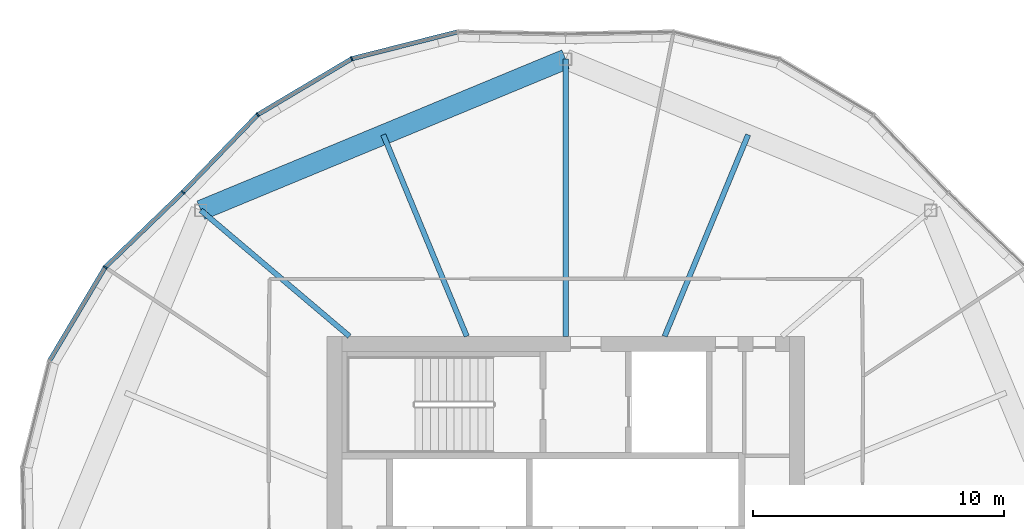
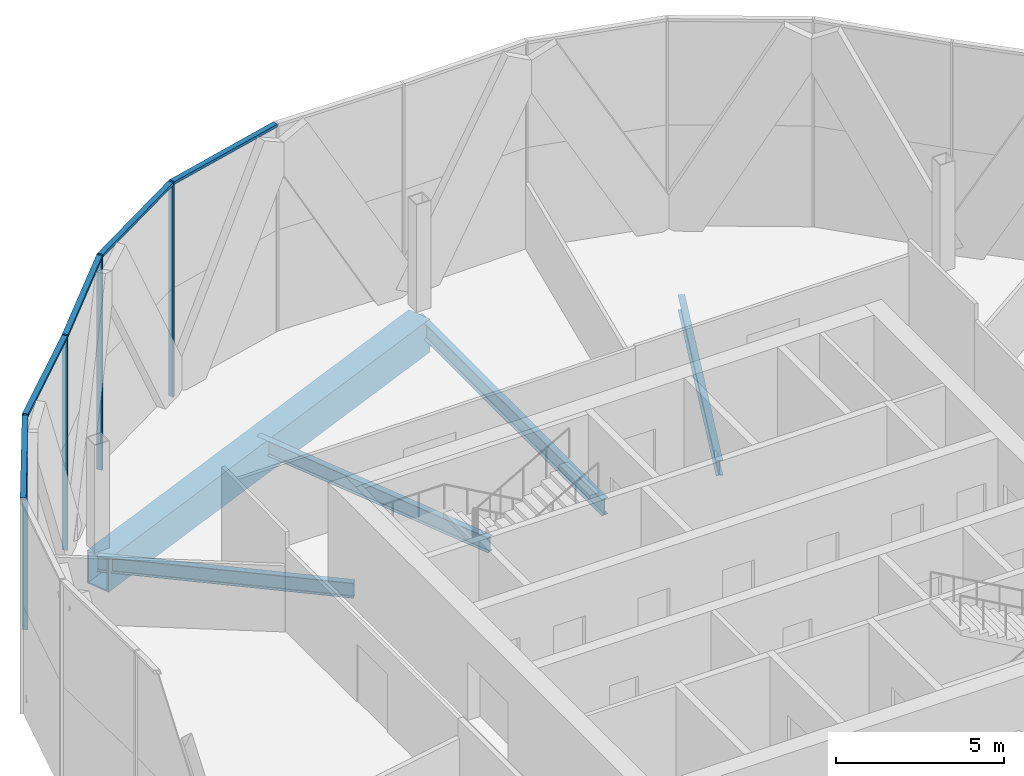
# One storey, part 8 of 27: 9 members, 5 beams, 2 elements without a shape of their own.
"""IFC4 building model written with IfcOpenShell, lengths in metres."""

from ifc_helpers import new_model, si_unit, direction, frame, origin, origin_2d, place, context, subcontext, project, spatial, rectangle, hollow_rectangle, i_section, extrude, material, material_profile, profile_set, type_object, element, aggregate, save


model = new_model("IFC4")

# Units and contexts
model_context = context("Model", 3, precision=1e-05, world=origin(), true_north=direction((0.0, 1.0)))
body_context = subcontext(model_context, "Body", "Model", "MODEL_VIEW")
ifc_project = project(units=[si_unit("LENGTHUNIT", "METRE"), si_unit("AREAUNIT", "SQUARE_METRE"), si_unit("VOLUMEUNIT", "CUBIC_METRE"), si_unit("PLANEANGLEUNIT", "RADIAN"), si_unit("MASSUNIT", "GRAM", prefix="KILO")], contexts=[model_context])

# Site, building, storey
site_placement = place(None, origin())
site = spatial("IfcSite", under=ifc_project, at=site_placement, CompositionType="ELEMENT")
building_placement = place(site_placement, origin())
building = spatial("IfcBuilding", under=site, at=building_placement, Name="Ogive Gate Towers", CompositionType="ELEMENT")
storey_placement = place(building_placement, frame((0.0, 0.0, 189.0)))
storey = spatial("IfcBuildingStorey", under=building, at=storey_placement, Name="L45", CompositionType="ELEMENT", Elevation=189.0)

# Beams
ifc_material_1 = material(Name="Steel SM460", Category="steel")
ifc_material_profile_1 = material_profile(ifc_material_1, hollow_rectangle(XDim=0.800048828125, YDim=1.199951171875, WallThickness=0.050048828125, at=origin_2d()), Name="BX 1200x800x50")
ifc_profile_set_1 = profile_set([ifc_material_profile_1], Name="Steel SM460")
beam_type_1 = type_object("IfcBeamType", Name="Edge girder BX 1200x800x50", PredefinedType="BEAM", material=ifc_profile_set_1)
beam_1_placement = place(storey_placement, frame((-36.0, 20.52001953125, -0.89990234375), z_axis=(-0.923877006731, -0.38268953008, 0.0), x_axis=(0.38268953008, -0.923877006731, 0.0)))
element("IfcBeam", 1, at=beam_1_placement, inside=storey, type_object=beam_type_1, Name="T1/L45/SBM022", PredefinedType="BEAM", context=body_context, shape_type="SweptSolid", body=[
    extrude(hollow_rectangle(XDim=0.800048828125, YDim=1.199951171875, WallThickness=0.050048828125, at=origin_2d()), origin(), (0.0, 0.0, 1.0), 15.705322265625),
])
ifc_material_2 = material(Name="Steel SM355", Category="steel")
ifc_material_profile_2 = material_profile(ifc_material_2, i_section(OverallWidth=0.2099609375, OverallDepth=0.550048828125, WebThickness=0.010986328125, FlangeThickness=0.01708984375, FilletRadius=0.02392578125, at=origin_2d()), Name="IPE 550")
ifc_profile_set_2 = profile_set([ifc_material_profile_2], Name="Steel SM355")
beam_type_2 = type_object("IfcBeamType", Name="Radial floor beam IPE 550", PredefinedType="BEAM", material=ifc_profile_set_2)
for number, where, z_axis, x_axis, name in (
    (2, (-32.06494140625, 9.5, -0.574951171875), (0.382678218882, 0.92388169199, 0.0), (-0.92388169199, 0.382678218882, 0.0), "T1/L45/SBM010"),
    (3, (-39.93505859375, 9.5, -0.574951171875), (-0.382678218882, 0.92388169199, 0.0), (-0.92388169199, -0.382678218882, 0.0), "T1/L45/SBM012"),
):
    element("IfcBeam", number, at=place(storey_placement, frame(where, z_axis=z_axis, x_axis=x_axis)), inside=storey, type_object=beam_type_2, Name=name, PredefinedType="BEAM", context=body_context, shape_type="SweptSolid", body=[
        extrude(i_section(OverallWidth=0.2099609375, OverallDepth=0.550048828125, WebThickness=0.010986328125, FlangeThickness=0.01708984375, FilletRadius=0.02392578125, at=origin_2d()), origin(), (0.0, 0.0, 1.0), 8.67529296875),
    ])
beam_2_placement = place(storey_placement, frame((-44.60009765625, 9.5, -0.574951171875), z_axis=(-0.762795484328, 0.64663981403, 0.0), x_axis=(-0.64663981403, -0.762795484328, 0.0)))
element("IfcBeam", 4, at=beam_2_placement, inside=storey, type_object=beam_type_2, Name="T1/L45/SBM013", PredefinedType="BEAM", context=body_context, shape_type="SweptSolid", body=[
    extrude(i_section(OverallWidth=0.2099609375, OverallDepth=0.550048828125, WebThickness=0.010986328125, FlangeThickness=0.01708984375, FilletRadius=0.02392578125, at=origin_2d()), origin(), (0.0, 0.0, 1.0), 7.747314453125),
])
ifc_material_profile_3 = material_profile(ifc_material_2, i_section(OverallWidth=0.219970703125, OverallDepth=0.60009765625, WebThickness=0.011962890625, FlangeThickness=0.01904296875, FilletRadius=0.02392578125, at=origin_2d()), Name="IPE 600")
ifc_profile_set_3 = profile_set([ifc_material_profile_3], Name="Steel SM355")
beam_type_3 = type_object("IfcBeamType", Name="Radial floor beam IPE 600", PredefinedType="BEAM", material=ifc_profile_set_3)
beam_3_placement = place(storey_placement, frame((-36.0, 9.5, -0.60009765625), z_axis=(0.0, 1.0, 0.0), x_axis=(-1.0, 0.0, 0.0)))
element("IfcBeam", 5, at=beam_3_placement, inside=storey, type_object=beam_type_3, Name="T1/L45/SBM011", PredefinedType="BEAM", context=body_context, shape_type="SweptSolid", body=[
    extrude(i_section(OverallWidth=0.219970703125, OverallDepth=0.60009765625, WebThickness=0.011962890625, FlangeThickness=0.01904296875, FilletRadius=0.02392578125, at=origin_2d()), origin(), (0.0, 0.0, 1.0), 11.02001953125),
])

# Curtain wall, members
ifc_material_3 = material(Name="Pale metal aluminium", Category="aluminium")
curtain_wall_type = type_object("IfcCurtainWallType", Name="Tower unitised wall, high zone", PredefinedType="NOTDEFINED", material=ifc_material_3)
curtain_wall_1_placement = place(storey_placement, origin())
curtain_wall_1 = element("IfcCurtainWall", 6, at=curtain_wall_1_placement, inside=storey, type_object=curtain_wall_type, Name="CW2 T1 ECW06", PredefinedType="NOTDEFINED")
ifc_material_profile_4 = material_profile(ifc_material_3, rectangle(XDim=0.179931640625, YDim=0.06005859375, at=origin_2d()), Name="60 x 180 aluminium box")
ifc_profile_set_4 = profile_set([ifc_material_profile_4], Name="Pale metal aluminium")
member_type_1 = type_object("IfcMemberType", Name="Tower unitised wall, high zone mullion 60 x 180", PredefinedType="MULLION", material=ifc_profile_set_4)
member_1_placement = place(storey_placement, frame((-51.22412109375, 15.223876953125, -0.300048828125), z_axis=(0.0, 0.0, 1.0), x_axis=(0.720030516576, -0.693942400491, 0.0)))
member_1 = element("IfcMember", 7, at=member_1_placement, type_object=member_type_1, Name="CW2 mullion", PredefinedType="MULLION", context=body_context, shape_type="SweptSolid", body=[
    extrude(rectangle(XDim=0.179931640625, YDim=0.06005859375, at=origin_2d()), origin(), (0.0, 0.0, 1.0), 7.800048828125),
])
member_2_placement = place(storey_placement, frame((-48.2470703125, 18.312744140625, -0.300048828125), z_axis=(0.0, 0.0, 1.0), x_axis=(0.621298227173, -0.783574191071, 0.0)))
member_2 = element("IfcMember", 8, at=member_2_placement, type_object=member_type_1, Name="CW2 mullion", PredefinedType="MULLION", context=body_context, shape_type="SweptSolid", body=[
    extrude(rectangle(XDim=0.179931640625, YDim=0.06005859375, at=origin_2d()), origin(), (0.0, 0.0, 1.0), 7.800048828125),
])
member_3_placement = place(storey_placement, frame((-44.50732421875, 20.538818359375, -0.300048828125), z_axis=(0.0, 0.0, 1.0), x_axis=(0.382683432365, -0.923879532511, 0.0)))
member_3 = element("IfcMember", 9, at=member_3_placement, type_object=member_type_1, Name="CW2 mullion", PredefinedType="MULLION", context=body_context, shape_type="SweptSolid", body=[
    extrude(rectangle(XDim=0.179931640625, YDim=0.06005859375, at=origin_2d()), origin(), (0.0, 0.0, 1.0), 7.800048828125),
])

# Curtain wall, member
curtain_wall_2_placement = place(storey_placement, origin())
curtain_wall_2 = element("IfcCurtainWall", 10, at=curtain_wall_2_placement, inside=storey, type_object=curtain_wall_type, Name="CW2 T1 ECW07", PredefinedType="NOTDEFINED")
member_4_placement = place(storey_placement, frame((-54.312744140625, 12.2470703125, -0.300048828125), z_axis=(0.0, 0.0, 1.0), x_axis=(0.783574191071, -0.621298227173, 0.0)))
member_4 = element("IfcMember", 11, at=member_4_placement, type_object=member_type_1, Name="CW2 mullion", PredefinedType="MULLION", context=body_context, shape_type="SweptSolid", body=[
    extrude(rectangle(XDim=0.179931640625, YDim=0.06005859375, at=origin_2d()), origin(), (0.0, 0.0, 1.0), 7.800048828125),
])

# Member
ifc_material_profile_5 = material_profile(ifc_material_3, rectangle(XDim=0.179931640625, YDim=0.10009765625, at=origin_2d()), Name="100 x 180 aluminium box")
ifc_profile_set_5 = profile_set([ifc_material_profile_5], Name="Pale metal aluminium")
member_type_2 = type_object("IfcMemberType", Name="Tower unitised wall, high zone transom 100 x 180", PredefinedType="USERDEFINED", material=ifc_profile_set_5)
member_5_placement = place(storey_placement, frame((-51.203369140625, 15.245361328125, 7.449951171875), z_axis=(0.693938958182, 0.720033834147, 0.0), x_axis=(-0.720033834147, 0.693938958182, 0.0)))
member_5 = element("IfcMember", 12, at=member_5_placement, type_object=member_type_2, Name="CW2 transom", ObjectType="TRANSOM", PredefinedType="USERDEFINED", context=body_context, shape_type="SweptSolid", body=[
    extrude(rectangle(XDim=0.179931640625, YDim=0.10009765625, at=origin_2d()), origin(), (0.0, 0.0, 1.0), 4.228759765625),
])

member_6_placement = place(storey_placement, frame((-48.22021484375, 18.328857421875, 7.449951171875), z_axis=(0.859300627533, 0.511470851097, 0.0), x_axis=(-0.511470851097, 0.859300627533, 0.0)))
member_6 = element("IfcMember", 13, at=member_6_placement, type_object=member_type_2, Name="CW2 transom", ObjectType="TRANSOM", PredefinedType="USERDEFINED", context=body_context, shape_type="SweptSolid", body=[
    extrude(rectangle(XDim=0.179931640625, YDim=0.10009765625, at=origin_2d()), origin(), (0.0, 0.0, 1.0), 4.289306640625),
])

member_7_placement = place(storey_placement, frame((-44.47705078125, 20.546630859375, 7.449951171875), z_axis=(0.969296263993, 0.245895816575, 0.0), x_axis=(-0.245895816575, 0.969296263993, 0.0)))
member_7 = element("IfcMember", 14, at=member_7_placement, type_object=member_type_2, Name="CW2 transom", ObjectType="TRANSOM", PredefinedType="USERDEFINED", context=body_context, shape_type="SweptSolid", body=[
    extrude(rectangle(XDim=0.179931640625, YDim=0.10009765625, at=origin_2d()), origin(), (0.0, 0.0, 1.0), 4.2890625),
])

aggregate(curtain_wall_1, [member_1, member_2, member_5, member_3, member_6, member_7])

member_8_placement = place(storey_placement, frame((-56.522705078125, 8.534423828125, 7.449951171875), z_axis=(0.511470851097, 0.859300627533, 0.0), x_axis=(-0.859300627533, 0.511470851097, 0.0)))
member_8 = element("IfcMember", 15, at=member_8_placement, type_object=member_type_2, Name="CW2 transom", ObjectType="TRANSOM", PredefinedType="USERDEFINED", context=body_context, shape_type="SweptSolid", body=[
    extrude(rectangle(XDim=0.179931640625, YDim=0.10009765625, at=origin_2d()), origin(), (0.0, 0.0, 1.0), 4.289306640625),
])

member_9_placement = place(storey_placement, frame((-54.290283203125, 12.268798828125, 7.449951171875), z_axis=(0.720033834147, 0.693938958182, 0.0), x_axis=(-0.693938958182, 0.720033834147, 0.0)))
member_9 = element("IfcMember", 16, at=member_9_placement, type_object=member_type_2, Name="CW2 transom", ObjectType="TRANSOM", PredefinedType="USERDEFINED", context=body_context, shape_type="SweptSolid", body=[
    extrude(rectangle(XDim=0.179931640625, YDim=0.10009765625, at=origin_2d()), origin(), (0.0, 0.0, 1.0), 4.228759765625),
])

aggregate(curtain_wall_2, [member_4, member_8, member_9])

save(model, "model.ifc")
